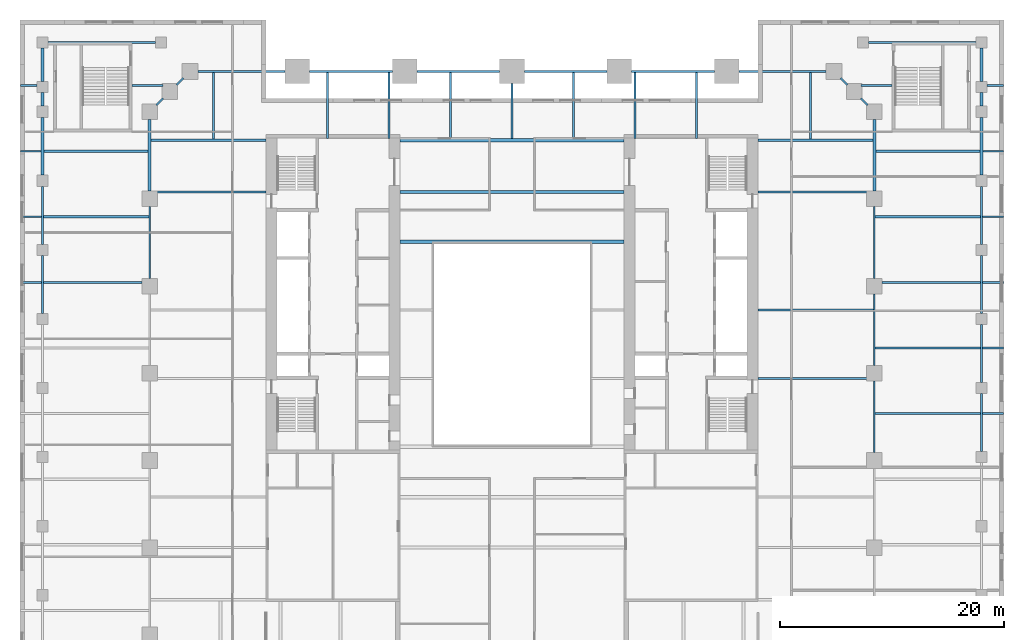
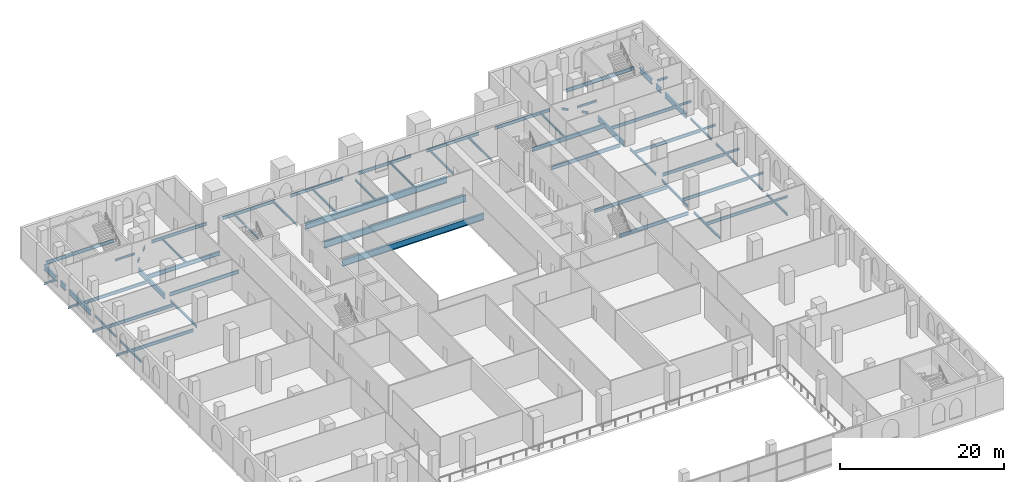
# One storey, part 6 of 19: 68 beams.
"""IFC4 building model written with IfcOpenShell, lengths in metres."""

from ifc_helpers import new_model, si_unit, direction, frame, origin, origin_2d, place, context, subcontext, project, spatial, i_section, extrude, material, material_profile, profile_set, type_object, element, save


model = new_model("IFC4")

# Units and contexts
model_context = context("Model", 3, precision=1e-05, world=origin(), true_north=direction((0.0, 1.0)))
body_context = subcontext(model_context, "Body", "Model", "MODEL_VIEW")
ifc_project = project(units=[si_unit("LENGTHUNIT", "METRE"), si_unit("AREAUNIT", "SQUARE_METRE"), si_unit("VOLUMEUNIT", "CUBIC_METRE"), si_unit("PLANEANGLEUNIT", "RADIAN"), si_unit("MASSUNIT", "GRAM", prefix="KILO")], contexts=[model_context])

# Site, building, storey
site_placement = place(None, origin())
site = spatial("IfcSite", under=ifc_project, at=site_placement, CompositionType="ELEMENT")
building_placement = place(site_placement, origin())
building = spatial("IfcBuilding", under=site, at=building_placement, Name="Ogive Exchange Tower", CompositionType="ELEMENT")
storey_placement = place(building_placement, frame((0.0, 0.0, 19.199951171875)))
storey = spatial("IfcBuildingStorey", under=building, at=storey_placement, Name="L03", CompositionType="ELEMENT", Elevation=19.199951171875)

# Beams
ifc_material = material(Name="Steel ASTM A992 Gr50", Category="steel")
ifc_material_profile_1 = material_profile(ifc_material, i_section(OverallWidth=0.300048828125, OverallDepth=0.969970703125, WebThickness=0.01611328125, FlangeThickness=0.02099609375, at=origin_2d()), Name="W1000x222")
ifc_profile_set_1 = profile_set([ifc_material_profile_1], Name="Steel ASTM A992 Gr50")
beam_type_1 = type_object("IfcBeamType", Name="Floor beam W1000x222", PredefinedType="JOIST", material=ifc_profile_set_1)
beam_1_placement = place(storey_placement, frame((-10.0, 20.62255859375, -0.784912109375), z_axis=(1.0, 0.0, 0.0), x_axis=(0.0, 1.0, 0.0)))
element("IfcBeam", 1, at=beam_1_placement, inside=storey, type_object=beam_type_1, Name="Floor beam", PredefinedType="JOIST", context=body_context, shape_type="SweptSolid", body=[
    extrude(i_section(OverallWidth=0.300048828125, OverallDepth=0.969970703125, WebThickness=0.01611328125, FlangeThickness=0.02099609375, at=origin_2d()), origin(), (0.0, 0.0, 1.0), 20.0),
])
ifc_material_profile_2 = material_profile(ifc_material, i_section(OverallWidth=0.1650390625, OverallDepth=0.31005859375, WebThickness=0.005859375, FlangeThickness=0.009765625, at=origin_2d()), Name="W310x38.7")
ifc_profile_set_2 = profile_set([ifc_material_profile_2], Name="Steel ASTM A992 Gr50")
beam_type_2 = type_object("IfcBeamType", Name="Floor beam W310x38.7", PredefinedType="JOIST", material=ifc_profile_set_2)
for number, where, z_axis, x_axis, name in (
    (2, (-16.5, 25.39990234375, -0.454833984375), (0.0, 1.0, 0.0), (-1.0, 0.0, 0.0), "Floor beam"),
    (3, (-11.0, 25.39990234375, -0.454833984375), (0.0, 1.0, 0.0), (-1.0, 0.0, 0.0), "Floor beam"),
):
    element("IfcBeam", number, at=place(storey_placement, frame(where, z_axis=z_axis, x_axis=x_axis)), inside=storey, type_object=beam_type_2, Name=name, PredefinedType="JOIST", context=body_context, shape_type="SweptSolid", body=[
        extrude(i_section(OverallWidth=0.1650390625, OverallDepth=0.31005859375, WebThickness=0.005859375, FlangeThickness=0.009765625, at=origin_2d()), origin(), (0.0, 0.0, 1.0), 5.904541015625),
    ])
beam_2_placement = place(storey_placement, frame((-5.5, 25.39501953125, -0.454833984375), z_axis=(0.0, 1.0, 0.0), x_axis=(-1.0, 0.0, 0.0)))
element("IfcBeam", 4, at=beam_2_placement, inside=storey, type_object=beam_type_2, Name="Floor beam", PredefinedType="JOIST", context=body_context, shape_type="SweptSolid", body=[
    extrude(i_section(OverallWidth=0.1650390625, OverallDepth=0.31005859375, WebThickness=0.005859375, FlangeThickness=0.009765625, at=origin_2d()), origin(), (0.0, 0.0, 1.0), 5.909423828125),
])
beam_3_placement = place(storey_placement, frame((0.0, 25.39501953125, -0.454833984375), z_axis=(0.0, 1.0, 0.0), x_axis=(-1.0, 0.0, 0.0)))
element("IfcBeam", 5, at=beam_3_placement, inside=storey, type_object=beam_type_2, Name="Floor beam", PredefinedType="JOIST", context=body_context, shape_type="SweptSolid", body=[
    extrude(i_section(OverallWidth=0.1650390625, OverallDepth=0.31005859375, WebThickness=0.005859375, FlangeThickness=0.009765625, at=origin_2d()), origin(), (0.0, 0.0, 1.0), 4.905029296875),
])
beam_4_placement = place(storey_placement, frame((5.5, 25.39501953125, -0.454833984375), z_axis=(0.0, 1.0, 0.0), x_axis=(-1.0, 0.0, 0.0)))
element("IfcBeam", 6, at=beam_4_placement, inside=storey, type_object=beam_type_2, Name="Floor beam", PredefinedType="JOIST", context=body_context, shape_type="SweptSolid", body=[
    extrude(i_section(OverallWidth=0.1650390625, OverallDepth=0.31005859375, WebThickness=0.005859375, FlangeThickness=0.009765625, at=origin_2d()), origin(), (0.0, 0.0, 1.0), 5.909423828125),
])
for number, where, z_axis, x_axis, name in (
    (7, (11.0, 25.39990234375, -0.454833984375), (0.0, 1.0, 0.0), (-1.0, 0.0, 0.0), "Floor beam"),
    (8, (16.5, 25.39990234375, -0.454833984375), (0.0, 1.0, 0.0), (-1.0, 0.0, 0.0), "Floor beam"),
):
    element("IfcBeam", number, at=place(storey_placement, frame(where, z_axis=z_axis, x_axis=x_axis)), inside=storey, type_object=beam_type_2, Name=name, PredefinedType="JOIST", context=body_context, shape_type="SweptSolid", body=[
        extrude(i_section(OverallWidth=0.1650390625, OverallDepth=0.31005859375, WebThickness=0.005859375, FlangeThickness=0.009765625, at=origin_2d()), origin(), (0.0, 0.0, 1.0), 5.904541015625),
    ])
for number, where, z_axis, x_axis, name in (
    (9, (26.699951171875, 25.35888671875, -0.454833984375), (0.0, 1.0, 0.0), (-1.0, 0.0, 0.0), "Floor beam"),
    (10, (-26.699951171875, 25.35888671875, -0.454833984375), (0.0, 1.0, 0.0), (-1.0, 0.0, 0.0), "Floor beam"),
):
    element("IfcBeam", number, at=place(storey_placement, frame(where, z_axis=z_axis, x_axis=x_axis)), inside=storey, type_object=beam_type_2, Name=name, PredefinedType="JOIST", context=body_context, shape_type="SweptSolid", body=[
        extrude(i_section(OverallWidth=0.1650390625, OverallDepth=0.31005859375, WebThickness=0.005859375, FlangeThickness=0.009765625, at=origin_2d()), origin(), (0.0, 0.0, 1.0), 5.945556640625),
    ])
for number, where, z_axis, x_axis, name in (
    (11, (42.08251953125, 0.800048828125, -0.454833984375), (1.0, 0.0, 0.0), (0.0, 1.0, 0.0), "Floor beam"),
    (12, (42.08251953125, 6.666748046875, -0.454833984375), (1.0, 0.0, 0.0), (0.0, 1.0, 0.0), "Floor beam"),
    (13, (42.08251953125, 12.533203125, -0.454833984375), (1.0, 0.0, 0.0), (0.0, 1.0, 0.0), "Floor beam"),
    (14, (42.08251953125, 18.39990234375, -0.454833984375), (1.0, 0.0, 0.0), (0.0, 1.0, 0.0), "Floor beam"),
):
    element("IfcBeam", number, at=place(storey_placement, frame(where, z_axis=z_axis, x_axis=x_axis)), inside=storey, type_object=beam_type_2, Name=name, PredefinedType="JOIST", context=body_context, shape_type="SweptSolid", body=[
        extrude(i_section(OverallWidth=0.1650390625, OverallDepth=0.31005859375, WebThickness=0.005859375, FlangeThickness=0.009765625, at=origin_2d()), origin(), (0.0, 0.0, 1.0), 1.867431640625),
    ])
beam_5_placement = place(storey_placement, frame((42.133544921875, 24.2666015625, -0.454833984375), z_axis=(1.0, 0.0, 0.0), x_axis=(0.0, 1.0, 0.0)))
element("IfcBeam", 15, at=beam_5_placement, inside=storey, type_object=beam_type_2, Name="Floor beam", PredefinedType="JOIST", context=body_context, shape_type="SweptSolid", body=[
    extrude(i_section(OverallWidth=0.1650390625, OverallDepth=0.31005859375, WebThickness=0.005859375, FlangeThickness=0.009765625, at=origin_2d()), origin(), (0.0, 0.0, 1.0), 1.81640625),
])
beam_6_placement = place(storey_placement, frame((31.199951171875, 30.13330078125, -0.454833984375), z_axis=(1.0, 0.0, 0.0), x_axis=(0.0, 1.0, 0.0)))
element("IfcBeam", 16, at=beam_6_placement, inside=storey, type_object=beam_type_2, Name="Floor beam", PredefinedType="JOIST", context=body_context, shape_type="SweptSolid", body=[
    extrude(i_section(OverallWidth=0.1650390625, OverallDepth=0.31005859375, WebThickness=0.005859375, FlangeThickness=0.009765625, at=origin_2d()), origin(), (0.0, 0.0, 1.0), 2.800048828125),
])
beam_7_placement = place(storey_placement, frame((42.5, 30.13330078125, -0.454833984375), z_axis=(1.0, 0.0, 0.0), x_axis=(0.0, 1.0, 0.0)))
element("IfcBeam", 17, at=beam_7_placement, inside=storey, type_object=beam_type_2, Name="Floor beam", PredefinedType="JOIST", context=body_context, shape_type="SweptSolid", body=[
    extrude(i_section(OverallWidth=0.1650390625, OverallDepth=0.31005859375, WebThickness=0.005859375, FlangeThickness=0.009765625, at=origin_2d()), origin(), (0.0, 0.0, 1.0), 1.449951171875),
])
for number, where, z_axis, x_axis, name in (
    (18, (-43.949951171875, 12.533203125, -0.454833984375), (1.0, 0.0, 0.0), (0.0, 1.0, 0.0), "Floor beam"),
    (19, (-43.949951171875, 18.39990234375, -0.454833984375), (1.0, 0.0, 0.0), (0.0, 1.0, 0.0), "Floor beam"),
):
    element("IfcBeam", number, at=place(storey_placement, frame(where, z_axis=z_axis, x_axis=x_axis)), inside=storey, type_object=beam_type_2, Name=name, PredefinedType="JOIST", context=body_context, shape_type="SweptSolid", body=[
        extrude(i_section(OverallWidth=0.1650390625, OverallDepth=0.31005859375, WebThickness=0.005859375, FlangeThickness=0.009765625, at=origin_2d()), origin(), (0.0, 0.0, 1.0), 1.867431640625),
    ])
beam_8_placement = place(storey_placement, frame((-43.949951171875, 24.2666015625, -0.454833984375), z_axis=(1.0, 0.0, 0.0), x_axis=(0.0, 1.0, 0.0)))
element("IfcBeam", 20, at=beam_8_placement, inside=storey, type_object=beam_type_2, Name="Floor beam", PredefinedType="JOIST", context=body_context, shape_type="SweptSolid", body=[
    extrude(i_section(OverallWidth=0.1650390625, OverallDepth=0.31005859375, WebThickness=0.005859375, FlangeThickness=0.009765625, at=origin_2d()), origin(), (0.0, 0.0, 1.0), 1.81640625),
])
beam_9_placement = place(storey_placement, frame((-43.949951171875, 30.13330078125, -0.454833984375), z_axis=(1.0, 0.0, 0.0), x_axis=(0.0, 1.0, 0.0)))
element("IfcBeam", 21, at=beam_9_placement, inside=storey, type_object=beam_type_2, Name="Floor beam", PredefinedType="JOIST", context=body_context, shape_type="SweptSolid", body=[
    extrude(i_section(OverallWidth=0.1650390625, OverallDepth=0.31005859375, WebThickness=0.005859375, FlangeThickness=0.009765625, at=origin_2d()), origin(), (0.0, 0.0, 1.0), 1.449951171875),
])
beam_10_placement = place(storey_placement, frame((-34.0, 30.13330078125, -0.454833984375), z_axis=(1.0, 0.0, 0.0), x_axis=(0.0, 1.0, 0.0)))
element("IfcBeam", 22, at=beam_10_placement, inside=storey, type_object=beam_type_2, Name="Floor beam", PredefinedType="JOIST", context=body_context, shape_type="SweptSolid", body=[
    extrude(i_section(OverallWidth=0.1650390625, OverallDepth=0.31005859375, WebThickness=0.005859375, FlangeThickness=0.009765625, at=origin_2d()), origin(), (0.0, 0.0, 1.0), 2.800048828125),
])
ifc_material_profile_3 = material_profile(ifc_material, i_section(OverallWidth=0.19091796875, OverallDepth=0.45703125, WebThickness=0.009033203125, FlangeThickness=0.014404296875, at=origin_2d()), Name="W460x74")
ifc_profile_set_3 = profile_set([ifc_material_profile_3], Name="Steel ASTM A992 Gr50")
beam_type_3 = type_object("IfcBeamType", Name="Floor beam W460x74", PredefinedType="JOIST", material=ifc_profile_set_3)
for number, where, z_axis, x_axis, name in (
    (23, (32.485595703125, 0.800048828125, -0.528564453125), (1.0, 0.0, 0.0), (0.0, 1.0, 0.0), "Floor beam"),
    (24, (32.485595703125, 6.666748046875, -0.528564453125), (1.0, 0.0, 0.0), (0.0, 1.0, 0.0), "Floor beam"),
):
    element("IfcBeam", number, at=place(storey_placement, frame(where, z_axis=z_axis, x_axis=x_axis)), inside=storey, type_object=beam_type_3, Name=name, PredefinedType="JOIST", context=body_context, shape_type="SweptSolid", body=[
        extrude(i_section(OverallWidth=0.19091796875, OverallDepth=0.45703125, WebThickness=0.009033203125, FlangeThickness=0.014404296875, at=origin_2d()), origin(), (0.0, 0.0, 1.0), 9.431884765625),
    ])
beam_11_placement = place(storey_placement, frame((33.10009765625, 12.533203125, -0.528564453125), z_axis=(1.0, 0.0, 0.0), x_axis=(0.0, 1.0, 0.0)))
element("IfcBeam", 25, at=beam_11_placement, inside=storey, type_object=beam_type_3, Name="Floor beam", PredefinedType="JOIST", context=body_context, shape_type="SweptSolid", body=[
    extrude(i_section(OverallWidth=0.19091796875, OverallDepth=0.45703125, WebThickness=0.009033203125, FlangeThickness=0.014404296875, at=origin_2d()), origin(), (0.0, 0.0, 1.0), 8.8173828125),
])
beam_12_placement = place(storey_placement, frame((32.485595703125, 18.39990234375, -0.528564453125), z_axis=(1.0, 0.0, 0.0), x_axis=(0.0, 1.0, 0.0)))
element("IfcBeam", 26, at=beam_12_placement, inside=storey, type_object=beam_type_3, Name="Floor beam", PredefinedType="JOIST", context=body_context, shape_type="SweptSolid", body=[
    extrude(i_section(OverallWidth=0.19091796875, OverallDepth=0.45703125, WebThickness=0.009033203125, FlangeThickness=0.014404296875, at=origin_2d()), origin(), (0.0, 0.0, 1.0), 9.431884765625),
])
beam_13_placement = place(storey_placement, frame((32.533447265625, 24.2666015625, -0.528564453125), z_axis=(1.0, 0.0, 0.0), x_axis=(0.0, 1.0, 0.0)))
element("IfcBeam", 27, at=beam_13_placement, inside=storey, type_object=beam_type_3, Name="Floor beam", PredefinedType="JOIST", context=body_context, shape_type="SweptSolid", body=[
    extrude(i_section(OverallWidth=0.19091796875, OverallDepth=0.45703125, WebThickness=0.009033203125, FlangeThickness=0.014404296875, at=origin_2d()), origin(), (0.0, 0.0, 1.0), 9.3330078125),
])
beam_14_placement = place(storey_placement, frame((-41.91748046875, 12.533203125, -0.528564453125), z_axis=(1.0, 0.0, 0.0), x_axis=(0.0, 1.0, 0.0)))
element("IfcBeam", 28, at=beam_14_placement, inside=storey, type_object=beam_type_3, Name="Floor beam", PredefinedType="JOIST", context=body_context, shape_type="SweptSolid", body=[
    extrude(i_section(OverallWidth=0.19091796875, OverallDepth=0.45703125, WebThickness=0.009033203125, FlangeThickness=0.014404296875, at=origin_2d()), origin(), (0.0, 0.0, 1.0), 8.8173828125),
])
beam_15_placement = place(storey_placement, frame((-41.91748046875, 18.39990234375, -0.528564453125), z_axis=(1.0, 0.0, 0.0), x_axis=(0.0, 1.0, 0.0)))
element("IfcBeam", 29, at=beam_15_placement, inside=storey, type_object=beam_type_3, Name="Floor beam", PredefinedType="JOIST", context=body_context, shape_type="SweptSolid", body=[
    extrude(i_section(OverallWidth=0.19091796875, OverallDepth=0.45703125, WebThickness=0.009033203125, FlangeThickness=0.014404296875, at=origin_2d()), origin(), (0.0, 0.0, 1.0), 9.431884765625),
])
beam_16_placement = place(storey_placement, frame((-41.866455078125, 24.2666015625, -0.528564453125), z_axis=(1.0, 0.0, 0.0), x_axis=(0.0, 1.0, 0.0)))
element("IfcBeam", 30, at=beam_16_placement, inside=storey, type_object=beam_type_3, Name="Floor beam", PredefinedType="JOIST", context=body_context, shape_type="SweptSolid", body=[
    extrude(i_section(OverallWidth=0.19091796875, OverallDepth=0.45703125, WebThickness=0.009033203125, FlangeThickness=0.014404296875, at=origin_2d()), origin(), (0.0, 0.0, 1.0), 9.3330078125),
])
ifc_material_profile_4 = material_profile(ifc_material, i_section(OverallWidth=0.1669921875, OverallDepth=0.535888671875, WebThickness=0.01025390625, FlangeThickness=0.0166015625, at=origin_2d()), Name="W530x85")
ifc_profile_set_4 = profile_set([ifc_material_profile_4], Name="Steel ASTM A992 Gr50")
beam_type_4 = type_object("IfcBeamType", Name="Floor beam W530x85", PredefinedType="JOIST", material=ifc_profile_set_4)
beam_17_placement = place(storey_placement, frame((22.0, 3.9482421875, -0.56787109375), z_axis=(1.0, 0.0, 0.0), x_axis=(0.0, 1.0, 0.0)))
element("IfcBeam", 31, at=beam_17_placement, inside=storey, type_object=beam_type_4, Name="Floor beam", PredefinedType="JOIST", context=body_context, shape_type="SweptSolid", body=[
    extrude(i_section(OverallWidth=0.1669921875, OverallDepth=0.535888671875, WebThickness=0.01025390625, FlangeThickness=0.0166015625, at=origin_2d()), origin(), (0.0, 0.0, 1.0), 9.800048828125),
])
beam_18_placement = place(storey_placement, frame((22.0, 10.0517578125, -0.56787109375), z_axis=(1.0, 0.0, 0.0), x_axis=(0.0, 1.0, 0.0)))
element("IfcBeam", 32, at=beam_18_placement, inside=storey, type_object=beam_type_4, Name="Floor beam", PredefinedType="JOIST", context=body_context, shape_type="SweptSolid", body=[
    extrude(i_section(OverallWidth=0.1669921875, OverallDepth=0.535888671875, WebThickness=0.01025390625, FlangeThickness=0.0166015625, at=origin_2d()), origin(), (0.0, 0.0, 1.0), 10.344970703125),
])
for number, where, z_axis, x_axis, name in (
    (33, (-31.800048828125, 20.62255859375, -0.56787109375), (1.0, 0.0, 0.0), (0.0, 1.0, 0.0), "Floor beam"),
    (34, (22.0, 20.62255859375, -0.56787109375), (1.0, 0.0, 0.0), (0.0, 1.0, 0.0), "Floor beam"),
):
    element("IfcBeam", number, at=place(storey_placement, frame(where, z_axis=z_axis, x_axis=x_axis)), inside=storey, type_object=beam_type_4, Name=name, PredefinedType="JOIST", context=body_context, shape_type="SweptSolid", body=[
        extrude(i_section(OverallWidth=0.1669921875, OverallDepth=0.535888671875, WebThickness=0.01025390625, FlangeThickness=0.0166015625, at=origin_2d()), origin(), (0.0, 0.0, 1.0), 9.800048828125),
    ])
ifc_material_profile_5 = material_profile(ifc_material, i_section(OverallWidth=0.300048828125, OverallDepth=0.97998046875, WebThickness=0.0166015625, FlangeThickness=0.026123046875, at=origin_2d()), Name="W1000x249")
ifc_profile_set_5 = profile_set([ifc_material_profile_5], Name="Steel ASTM A992 Gr50")
beam_type_5 = type_object("IfcBeamType", Name="Girder W1000x249", PredefinedType="BEAM", material=ifc_profile_set_5)
for number, where, z_axis, x_axis, name in (
    (35, (-10.0, 25.2451171875, -0.7900390625), (1.0, 0.0, 0.0), (0.0, 1.0, 0.0), "Header girder"),
    (36, (-10.0, 16.155029296875, -0.7900390625), (1.0, 0.0, 0.0), (0.0, 1.0, 0.0), "Trimmer girder"),
):
    element("IfcBeam", number, at=place(storey_placement, frame(where, z_axis=z_axis, x_axis=x_axis)), inside=storey, type_object=beam_type_5, Name=name, PredefinedType="BEAM", context=body_context, shape_type="SweptSolid", body=[
        extrude(i_section(OverallWidth=0.300048828125, OverallDepth=0.97998046875, WebThickness=0.0166015625, FlangeThickness=0.026123046875, at=origin_2d()), origin(), (0.0, 0.0, 1.0), 20.0),
    ])
ifc_material_profile_6 = material_profile(ifc_material, i_section(OverallWidth=0.1650390625, OverallDepth=0.31005859375, WebThickness=0.005859375, FlangeThickness=0.009765625, at=origin_2d()), Name="W310x38.7")
ifc_profile_set_6 = profile_set([ifc_material_profile_6], Name="Steel ASTM A992 Gr50")
beam_type_6 = type_object("IfcBeamType", Name="Girder W310x38.7", PredefinedType="BEAM", material=ifc_profile_set_6)
for number, where, z_axis, x_axis, name in (
    (37, (31.805908203125, 28.39404296875, -0.454833984375), (-0.706965712506, 0.707247821729, 0.0), (-0.707247821729, -0.706965712506, 0.0), "Girder"),
    (38, (30.006103515625, 30.194091796875, -0.454833984375), (-0.707247821729, 0.706965712506, 0.0), (-0.706965712506, -0.707247821729, 0.0), "Girder"),
    (39, (-29.39404296875, 30.805908203125, -0.454833984375), (-0.707247821729, -0.706965712506, 0.0), (0.706965712506, -0.707247821729, 0.0), "Girder"),
    (40, (-31.194091796875, 29.006103515625, -0.454833984375), (-0.706965712506, -0.707247821729, 0.0), (0.707247821729, -0.706965712506, 0.0), "Girder"),
):
    element("IfcBeam", number, at=place(storey_placement, frame(where, z_axis=z_axis, x_axis=x_axis)), inside=storey, type_object=beam_type_6, Name=name, PredefinedType="BEAM", context=body_context, shape_type="SweptSolid", body=[
        extrude(i_section(OverallWidth=0.1650390625, OverallDepth=0.31005859375, WebThickness=0.005859375, FlangeThickness=0.009765625, at=origin_2d()), origin(), (0.0, 0.0, 1.0), 0.865478515625),
    ])
beam_19_placement = place(storey_placement, frame((42.0, -2.590087890625, -0.454833984375), z_axis=(0.0, 1.0, 0.0), x_axis=(-1.0, 0.0, 0.0)))
element("IfcBeam", 41, at=beam_19_placement, inside=storey, type_object=beam_type_6, Name="Girder", PredefinedType="BEAM", context=body_context, shape_type="SweptSolid", body=[
    extrude(i_section(OverallWidth=0.1650390625, OverallDepth=0.31005859375, WebThickness=0.005859375, FlangeThickness=0.009765625, at=origin_2d()), origin(), (0.0, 0.0, 1.0), 5.18017578125),
])
beam_20_placement = place(storey_placement, frame((42.0, 3.590087890625, -0.454833984375), z_axis=(0.0, 1.0, 0.0), x_axis=(-1.0, 0.0, 0.0)))
element("IfcBeam", 42, at=beam_20_placement, inside=storey, type_object=beam_type_6, Name="Girder", PredefinedType="BEAM", context=body_context, shape_type="SweptSolid", body=[
    extrude(i_section(OverallWidth=0.1650390625, OverallDepth=0.31005859375, WebThickness=0.005859375, FlangeThickness=0.009765625, at=origin_2d()), origin(), (0.0, 0.0, 1.0), 5.179931640625),
])
beam_21_placement = place(storey_placement, frame((42.0, 9.77001953125, -0.454833984375), z_axis=(0.0, 1.0, 0.0), x_axis=(-1.0, 0.0, 0.0)))
element("IfcBeam", 43, at=beam_21_placement, inside=storey, type_object=beam_type_6, Name="Girder", PredefinedType="BEAM", context=body_context, shape_type="SweptSolid", body=[
    extrude(i_section(OverallWidth=0.1650390625, OverallDepth=0.31005859375, WebThickness=0.005859375, FlangeThickness=0.009765625, at=origin_2d()), origin(), (0.0, 0.0, 1.0), 5.169921875),
])
beam_22_placement = place(storey_placement, frame((42.0, 15.93994140625, -0.454833984375), z_axis=(0.0, 1.0, 0.0), x_axis=(-1.0, 0.0, 0.0)))
element("IfcBeam", 44, at=beam_22_placement, inside=storey, type_object=beam_type_6, Name="Girder", PredefinedType="BEAM", context=body_context, shape_type="SweptSolid", body=[
    extrude(i_section(OverallWidth=0.1650390625, OverallDepth=0.31005859375, WebThickness=0.005859375, FlangeThickness=0.009765625, at=origin_2d()), origin(), (0.0, 0.0, 1.0), 5.18017578125),
])
beam_23_placement = place(storey_placement, frame((-42.0, 9.77001953125, -0.454833984375), z_axis=(0.0, 1.0, 0.0), x_axis=(-1.0, 0.0, 0.0)))
element("IfcBeam", 45, at=beam_23_placement, inside=storey, type_object=beam_type_6, Name="Girder", PredefinedType="BEAM", context=body_context, shape_type="SweptSolid", body=[
    extrude(i_section(OverallWidth=0.1650390625, OverallDepth=0.31005859375, WebThickness=0.005859375, FlangeThickness=0.009765625, at=origin_2d()), origin(), (0.0, 0.0, 1.0), 5.169921875),
])
beam_24_placement = place(storey_placement, frame((-42.0, 15.93994140625, -0.454833984375), z_axis=(0.0, 1.0, 0.0), x_axis=(-1.0, 0.0, 0.0)))
element("IfcBeam", 46, at=beam_24_placement, inside=storey, type_object=beam_type_6, Name="Girder", PredefinedType="BEAM", context=body_context, shape_type="SweptSolid", body=[
    extrude(i_section(OverallWidth=0.1650390625, OverallDepth=0.31005859375, WebThickness=0.005859375, FlangeThickness=0.009765625, at=origin_2d()), origin(), (0.0, 0.0, 1.0), 5.18017578125),
])
ifc_material_profile_7 = material_profile(ifc_material, i_section(OverallWidth=0.1708984375, OverallDepth=0.35595703125, WebThickness=0.00732421875, FlangeThickness=0.01171875, at=origin_2d()), Name="W360x51")
ifc_profile_set_7 = profile_set([ifc_material_profile_7], Name="Steel ASTM A992 Gr50")
beam_type_7 = type_object("IfcBeamType", Name="Girder W360x51", PredefinedType="BEAM", material=ifc_profile_set_7)
beam_25_placement = place(storey_placement, frame((32.39990234375, 5.10009765625, -0.47802734375), z_axis=(0.0, 1.0, 0.0), x_axis=(-1.0, 0.0, 0.0)))
element("IfcBeam", 47, at=beam_25_placement, inside=storey, type_object=beam_type_7, Name="Girder", PredefinedType="BEAM", context=body_context, shape_type="SweptSolid", body=[
    extrude(i_section(OverallWidth=0.1708984375, OverallDepth=0.35595703125, WebThickness=0.00732421875, FlangeThickness=0.01171875, at=origin_2d()), origin(), (0.0, 0.0, 1.0), 6.39990234375),
])
for number, where, z_axis, x_axis, name in (
    (48, (32.39990234375, 12.89990234375, -0.47802734375), (0.0, 1.0, 0.0), (-1.0, 0.0, 0.0), "Girder"),
    (49, (-32.39990234375, 19.300048828125, -0.47802734375), (0.0, -1.0, 0.0), (1.0, 0.0, 0.0), "Girder"),
):
    element("IfcBeam", number, at=place(storey_placement, frame(where, z_axis=z_axis, x_axis=x_axis)), inside=storey, type_object=beam_type_7, Name=name, PredefinedType="BEAM", context=body_context, shape_type="SweptSolid", body=[
        extrude(i_section(OverallWidth=0.1708984375, OverallDepth=0.35595703125, WebThickness=0.00732421875, FlangeThickness=0.01171875, at=origin_2d()), origin(), (0.0, 0.0, 1.0), 6.400146484375),
    ])
beam_26_placement = place(storey_placement, frame((32.39990234375, -2.699951171875, -0.47802734375), z_axis=(0.0, 1.0, 0.0), x_axis=(-1.0, 0.0, 0.0)))
element("IfcBeam", 50, at=beam_26_placement, inside=storey, type_object=beam_type_7, Name="Girder", PredefinedType="BEAM", context=body_context, shape_type="SweptSolid", body=[
    extrude(i_section(OverallWidth=0.1708984375, OverallDepth=0.35595703125, WebThickness=0.00732421875, FlangeThickness=0.01171875, at=origin_2d()), origin(), (0.0, 0.0, 1.0), 6.39990234375),
])
ifc_material_profile_8 = material_profile(ifc_material, i_section(OverallWidth=0.19091796875, OverallDepth=0.45703125, WebThickness=0.009033203125, FlangeThickness=0.014404296875, at=origin_2d()), Name="W460x74")
ifc_profile_set_8 = profile_set([ifc_material_profile_8], Name="Steel ASTM A992 Gr50")
beam_type_8 = type_object("IfcBeamType", Name="Girder W460x74", PredefinedType="BEAM", material=ifc_profile_set_8)
beam_27_placement = place(storey_placement, frame((28.10009765625, 31.39990234375, -0.528564453125), z_axis=(-1.0, 0.0, 0.0), x_axis=(0.0, -1.0, 0.0)))
element("IfcBeam", 51, at=beam_27_placement, inside=storey, type_object=beam_type_8, Name="Girder", PredefinedType="BEAM", context=body_context, shape_type="SweptSolid", body=[
    extrude(i_section(OverallWidth=0.19091796875, OverallDepth=0.45703125, WebThickness=0.009033203125, FlangeThickness=0.014404296875, at=origin_2d()), origin(), (0.0, 0.0, 1.0), 7.800048828125),
])
beam_28_placement = place(storey_placement, frame((18.10009765625, 31.39990234375, -0.528564453125), z_axis=(-1.0, 0.0, 0.0), x_axis=(0.0, -1.0, 0.0)))
element("IfcBeam", 52, at=beam_28_placement, inside=storey, type_object=beam_type_8, Name="Girder", PredefinedType="BEAM", context=body_context, shape_type="SweptSolid", body=[
    extrude(i_section(OverallWidth=0.19091796875, OverallDepth=0.45703125, WebThickness=0.009033203125, FlangeThickness=0.014404296875, at=origin_2d()), origin(), (0.0, 0.0, 1.0), 7.400146484375),
])
for number, where, z_axis, x_axis, name in (
    (53, (8.5, 31.39990234375, -0.528564453125), (-1.0, 0.0, 0.0), (0.0, -1.0, 0.0), "Girder"),
    (54, (-1.10009765625, 31.39990234375, -0.528564453125), (-1.0, 0.0, 0.0), (0.0, -1.0, 0.0), "Girder"),
):
    element("IfcBeam", number, at=place(storey_placement, frame(where, z_axis=z_axis, x_axis=x_axis)), inside=storey, type_object=beam_type_8, Name=name, PredefinedType="BEAM", context=body_context, shape_type="SweptSolid", body=[
        extrude(i_section(OverallWidth=0.19091796875, OverallDepth=0.45703125, WebThickness=0.009033203125, FlangeThickness=0.014404296875, at=origin_2d()), origin(), (0.0, 0.0, 1.0), 7.39990234375),
    ])
beam_29_placement = place(storey_placement, frame((-10.699951171875, 31.39990234375, -0.528564453125), z_axis=(-1.0, 0.0, 0.0), x_axis=(0.0, -1.0, 0.0)))
element("IfcBeam", 55, at=beam_29_placement, inside=storey, type_object=beam_type_8, Name="Girder", PredefinedType="BEAM", context=body_context, shape_type="SweptSolid", body=[
    extrude(i_section(OverallWidth=0.19091796875, OverallDepth=0.45703125, WebThickness=0.009033203125, FlangeThickness=0.014404296875, at=origin_2d()), origin(), (0.0, 0.0, 1.0), 7.400146484375),
])
beam_30_placement = place(storey_placement, frame((-20.300048828125, 31.39990234375, -0.528564453125), z_axis=(-1.0, 0.0, 0.0), x_axis=(0.0, -1.0, 0.0)))
element("IfcBeam", 56, at=beam_30_placement, inside=storey, type_object=beam_type_8, Name="Girder", PredefinedType="BEAM", context=body_context, shape_type="SweptSolid", body=[
    extrude(i_section(OverallWidth=0.19091796875, OverallDepth=0.45703125, WebThickness=0.009033203125, FlangeThickness=0.014404296875, at=origin_2d()), origin(), (0.0, 0.0, 1.0), 7.800048828125),
])
ifc_material_profile_9 = material_profile(ifc_material, i_section(OverallWidth=0.1669921875, OverallDepth=0.535888671875, WebThickness=0.01025390625, FlangeThickness=0.0166015625, at=origin_2d()), Name="W530x85")
ifc_profile_set_9 = profile_set([ifc_material_profile_9], Name="Steel ASTM A992 Gr50")
beam_type_9 = type_object("IfcBeamType", Name="Girder W530x85", PredefinedType="BEAM", material=ifc_profile_set_9)
for number, where, z_axis, x_axis, name in (
    (57, (31.89990234375, 34.0, -0.56787109375), (1.0, 0.0, 0.0), (0.0, 1.0, 0.0), "Girder"),
    (58, (-41.5, 34.0, -0.56787109375), (1.0, 0.0, 0.0), (0.0, 1.0, 0.0), "Girder"),
):
    element("IfcBeam", number, at=place(storey_placement, frame(where, z_axis=z_axis, x_axis=x_axis)), inside=storey, type_object=beam_type_9, Name=name, PredefinedType="BEAM", context=body_context, shape_type="SweptSolid", body=[
        extrude(i_section(OverallWidth=0.1669921875, OverallDepth=0.535888671875, WebThickness=0.01025390625, FlangeThickness=0.0166015625, at=origin_2d()), origin(), (0.0, 0.0, 1.0), 9.60009765625),
    ])
ifc_material_profile_10 = material_profile(ifc_material, i_section(OverallWidth=0.22802734375, OverallDepth=0.60205078125, WebThickness=0.010498046875, FlangeThickness=0.014892578125, at=origin_2d()), Name="W610x101")
ifc_profile_set_10 = profile_set([ifc_material_profile_10], Name="Steel ASTM A992 Gr50")
beam_type_10 = type_object("IfcBeamType", Name="Girder W610x101", PredefinedType="BEAM", material=ifc_profile_set_10)
for number, where, z_axis, x_axis, name in (
    (59, (22.0, 25.2451171875, -0.600830078125), (1.0, 0.0, 0.0), (0.0, 1.0, 0.0), "Header girder"),
    (60, (-22.0, 25.2451171875, -0.600830078125), (-1.0, 0.0, 0.0), (0.0, -1.0, 0.0), "Header girder"),
):
    element("IfcBeam", number, at=place(storey_placement, frame(where, z_axis=z_axis, x_axis=x_axis)), inside=storey, type_object=beam_type_10, Name=name, PredefinedType="BEAM", context=body_context, shape_type="SweptSolid", body=[
        extrude(i_section(OverallWidth=0.22802734375, OverallDepth=0.60205078125, WebThickness=0.010498046875, FlangeThickness=0.014892578125, at=origin_2d()), origin(), (0.0, 0.0, 1.0), 10.344970703125),
    ])
ifc_material_profile_11 = material_profile(ifc_material, i_section(OverallWidth=0.26708984375, OverallDepth=0.75390625, WebThickness=0.01318359375, FlangeThickness=0.01708984375, at=origin_2d()), Name="W760x147")
ifc_profile_set_11 = profile_set([ifc_material_profile_11], Name="Steel ASTM A992 Gr50")
beam_type_11 = type_object("IfcBeamType", Name="Girder W760x147", PredefinedType="BEAM", material=ifc_profile_set_11)
for number, where, z_axis, x_axis, name in (
    (61, (32.39990234375, 20.699951171875, -0.677001953125), (0.0, 1.0, 0.0), (-1.0, 0.0, 0.0), "Girder"),
    (62, (-32.39990234375, 27.10009765625, -0.677001953125), (0.0, -1.0, 0.0), (1.0, 0.0, 0.0), "Girder"),
):
    element("IfcBeam", number, at=place(storey_placement, frame(where, z_axis=z_axis, x_axis=x_axis)), inside=storey, type_object=beam_type_11, Name=name, PredefinedType="BEAM", context=body_context, shape_type="SweptSolid", body=[
        extrude(i_section(OverallWidth=0.26708984375, OverallDepth=0.75390625, WebThickness=0.01318359375, FlangeThickness=0.01708984375, at=origin_2d()), origin(), (0.0, 0.0, 1.0), 6.400146484375),
    ])
beam_31_placement = place(storey_placement, frame((42.0, 22.1201171875, -0.677001953125), z_axis=(0.0, 1.0, 0.0), x_axis=(-1.0, 0.0, 0.0)))
element("IfcBeam", 63, at=beam_31_placement, inside=storey, type_object=beam_type_11, Name="Girder", PredefinedType="BEAM", context=body_context, shape_type="SweptSolid", body=[
    extrude(i_section(OverallWidth=0.26708984375, OverallDepth=0.75390625, WebThickness=0.01318359375, FlangeThickness=0.01708984375, at=origin_2d()), origin(), (0.0, 0.0, 1.0), 5.179931640625),
])
beam_32_placement = place(storey_placement, frame((42.0, 28.300048828125, -0.677001953125), z_axis=(0.0, 1.0, 0.0), x_axis=(-1.0, 0.0, 0.0)))
element("IfcBeam", 64, at=beam_32_placement, inside=storey, type_object=beam_type_11, Name="Girder", PredefinedType="BEAM", context=body_context, shape_type="SweptSolid", body=[
    extrude(i_section(OverallWidth=0.26708984375, OverallDepth=0.75390625, WebThickness=0.01318359375, FlangeThickness=0.01708984375, at=origin_2d()), origin(), (0.0, 0.0, 1.0), 1.199951171875),
])
beam_33_placement = place(storey_placement, frame((42.0, 30.5, -0.677001953125), z_axis=(0.0, 1.0, 0.0), x_axis=(-1.0, 0.0, 0.0)))
element("IfcBeam", 65, at=beam_33_placement, inside=storey, type_object=beam_type_11, Name="Girder", PredefinedType="BEAM", context=body_context, shape_type="SweptSolid", body=[
    extrude(i_section(OverallWidth=0.26708984375, OverallDepth=0.75390625, WebThickness=0.01318359375, FlangeThickness=0.01708984375, at=origin_2d()), origin(), (0.0, 0.0, 1.0), 3.0),
])
beam_34_placement = place(storey_placement, frame((-42.0, 22.1201171875, -0.677001953125), z_axis=(0.0, 1.0, 0.0), x_axis=(-1.0, 0.0, 0.0)))
element("IfcBeam", 66, at=beam_34_placement, inside=storey, type_object=beam_type_11, Name="Girder", PredefinedType="BEAM", context=body_context, shape_type="SweptSolid", body=[
    extrude(i_section(OverallWidth=0.26708984375, OverallDepth=0.75390625, WebThickness=0.01318359375, FlangeThickness=0.01708984375, at=origin_2d()), origin(), (0.0, 0.0, 1.0), 5.179931640625),
])
beam_35_placement = place(storey_placement, frame((-42.0, 28.300048828125, -0.677001953125), z_axis=(0.0, 1.0, 0.0), x_axis=(-1.0, 0.0, 0.0)))
element("IfcBeam", 67, at=beam_35_placement, inside=storey, type_object=beam_type_11, Name="Girder", PredefinedType="BEAM", context=body_context, shape_type="SweptSolid", body=[
    extrude(i_section(OverallWidth=0.26708984375, OverallDepth=0.75390625, WebThickness=0.01318359375, FlangeThickness=0.01708984375, at=origin_2d()), origin(), (0.0, 0.0, 1.0), 1.199951171875),
])
beam_36_placement = place(storey_placement, frame((-42.0, 30.5, -0.677001953125), z_axis=(0.0, 1.0, 0.0), x_axis=(-1.0, 0.0, 0.0)))
element("IfcBeam", 68, at=beam_36_placement, inside=storey, type_object=beam_type_11, Name="Girder", PredefinedType="BEAM", context=body_context, shape_type="SweptSolid", body=[
    extrude(i_section(OverallWidth=0.26708984375, OverallDepth=0.75390625, WebThickness=0.01318359375, FlangeThickness=0.01708984375, at=origin_2d()), origin(), (0.0, 0.0, 1.0), 3.0),
])

save(model, "model.ifc")
